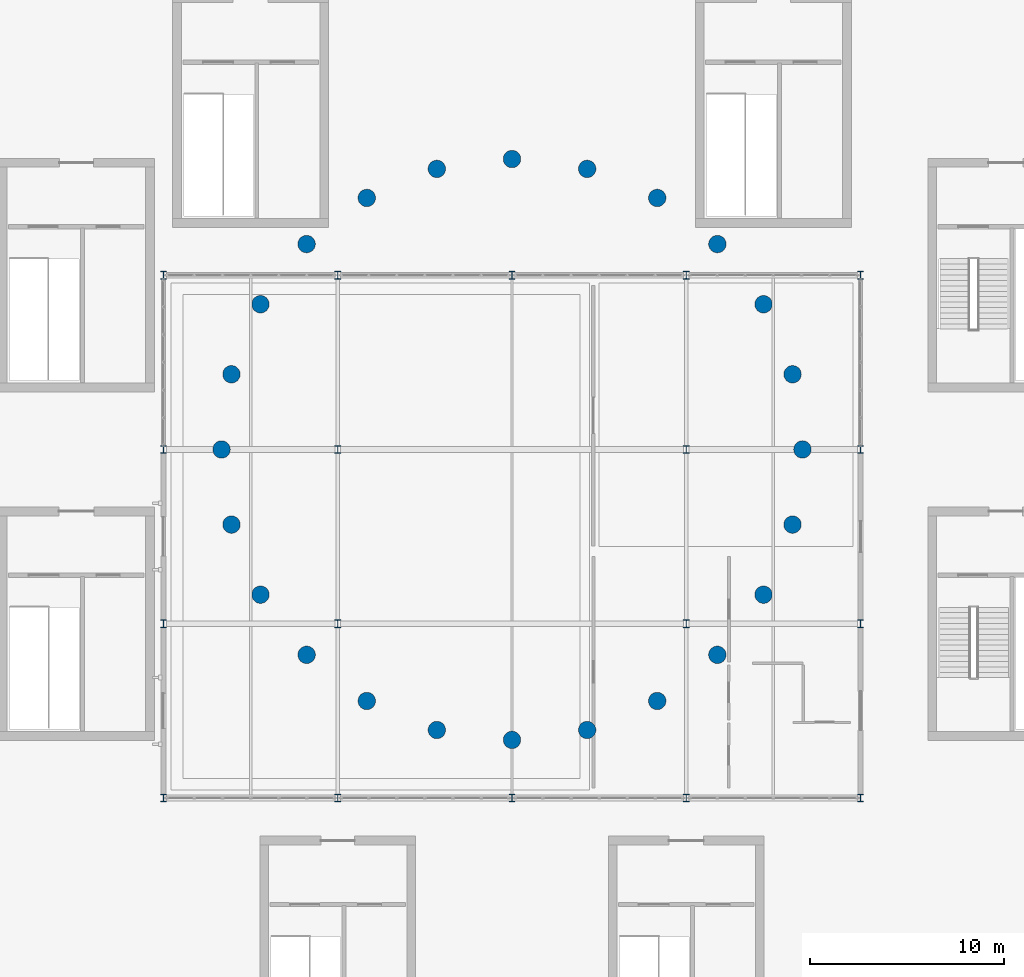
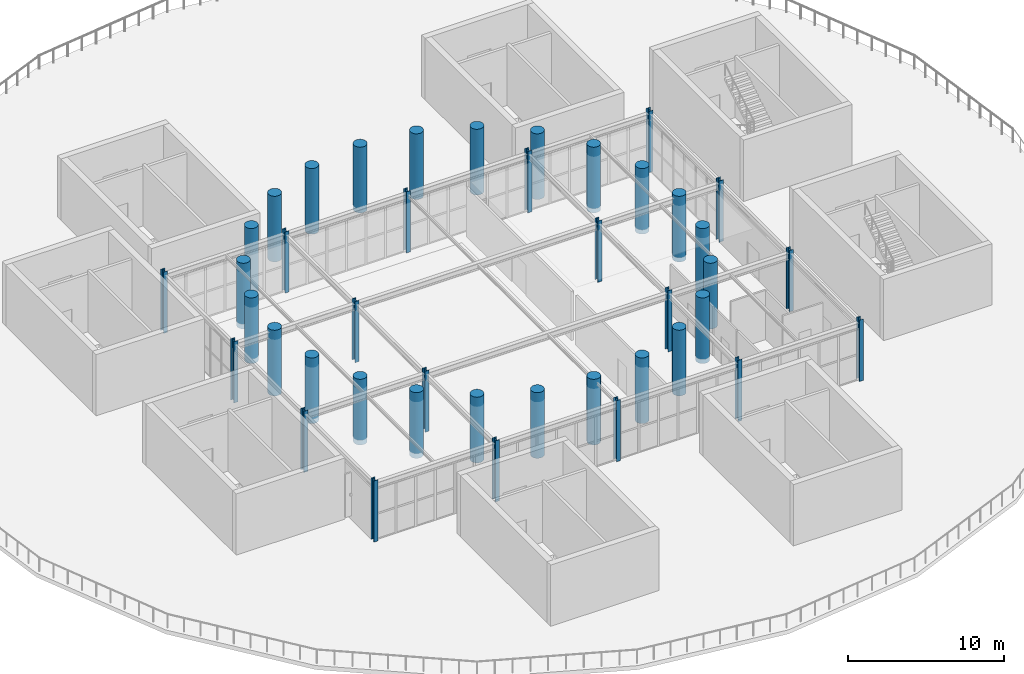
# One storey, part 1 of 29: 42 columns.
"""IFC4 building model written with IfcOpenShell, lengths in metres."""

from ifc_helpers import new_model, si_unit, direction, frame, origin, origin_2d, place, context, subcontext, project, spatial, circle, i_section, extrude, material, material_profile, profile_set, type_object, element, save


model = new_model("IFC4")

# Units and contexts
model_context = context("Model", 3, precision=1e-05, world=origin(), true_north=direction((0.0, 1.0)))
body_context = subcontext(model_context, "Body", "Model", "MODEL_VIEW")
ifc_project = project(units=[si_unit("LENGTHUNIT", "METRE"), si_unit("AREAUNIT", "SQUARE_METRE"), si_unit("VOLUMEUNIT", "CUBIC_METRE"), si_unit("PLANEANGLEUNIT", "RADIAN"), si_unit("MASSUNIT", "GRAM", prefix="KILO")], contexts=[model_context])

# Site, building, storey
site_placement = place(None, origin())
site = spatial("IfcSite", under=ifc_project, at=site_placement, CompositionType="ELEMENT")
building_placement = place(site_placement, origin())
building = spatial("IfcBuilding", under=site, at=building_placement, Name="Dornveld Trade and Exhibition Forum", CompositionType="ELEMENT")
storey_placement = place(building_placement, frame((0.0, 0.0, 21.60009765625)))
storey = spatial("IfcBuildingStorey", under=building, at=storey_placement, Name="L04", CompositionType="ELEMENT", Elevation=21.60009765625)

# Columns
ifc_material_1 = material(Name="Precast concrete C50/60", Category="concrete")
ifc_material_profile_1 = material_profile(ifc_material_1, circle(Radius=0.449951171875, at=origin_2d()), Name="PC-COL D900")
ifc_profile_set_1 = profile_set([ifc_material_profile_1], Name="Precast concrete C50/60")
column_type_1 = type_object("IfcColumnType", Name="COL-DISC-D900", PredefinedType="COLUMN", material=ifc_profile_set_1)
for number, where, z_axis, x_axis, name in (
    (1, (102.0, 81.0, -0.35009765625), (0.0, 0.0, 1.0), (1.0, 0.0, 0.0), "L04 column (102.0, 81.0)"),
    (2, (102.510986328125, 77.117919921875, -0.35009765625), (0.0, 0.0, 1.0), (1.0, 0.0, 0.0), "L04 column (102.5, 77.1)"),
    (3, (102.510986328125, 84.882080078125, -0.35009765625), (0.0, 0.0, 1.0), (1.0, 0.0, 0.0), "L04 column (102.5, 84.9)"),
    (4, (104.010009765625, 73.5, -0.35009765625), (0.0, 0.0, 1.0), (1.0, 0.0, 0.0), "L04 column (104.0, 73.5)"),
    (5, (104.010009765625, 88.5, -0.35009765625), (0.0, 0.0, 1.0), (1.0, 0.0, 0.0), "L04 column (104.0, 88.5)"),
    (6, (106.39306640625, 70.39306640625, -0.35009765625), (0.0, 0.0, 1.0), (1.0, 0.0, 0.0), "L04 column (106.4, 70.4)"),
    (7, (106.39306640625, 91.60693359375, -0.35009765625), (0.0, 0.0, 1.0), (1.0, 0.0, 0.0), "L04 column (106.4, 91.6)"),
    (8, (109.5, 68.010009765625, -0.35009765625), (0.0, 0.0, 1.0), (1.0, 0.0, 0.0), "L04 column (109.5, 68.0)"),
    (9, (109.5, 93.989990234375, -0.35009765625), (0.0, 0.0, 1.0), (1.0, 0.0, 0.0), "L04 column (109.5, 94.0)"),
    (10, (113.117919921875, 66.510986328125, -0.35009765625), (0.0, 0.0, 1.0), (1.0, 0.0, 0.0), "L04 column (113.1, 66.5)"),
    (11, (113.117919921875, 95.489013671875, -0.35009765625), (0.0, 0.0, 1.0), (1.0, 0.0, 0.0), "L04 column (113.1, 95.5)"),
    (12, (117.0, 66.0, -0.35009765625), (0.0, 0.0, 1.0), (1.0, 0.0, 0.0), "L04 column (117.0, 66.0)"),
    (13, (117.0, 96.0, -0.35009765625), (0.0, 0.0, 1.0), (1.0, 0.0, 0.0), "L04 column (117.0, 96.0)"),
    (14, (120.882080078125, 66.510986328125, -0.35009765625), (0.0, 0.0, 1.0), (1.0, 0.0, 0.0), "L04 column (120.9, 66.5)"),
    (15, (120.882080078125, 95.489013671875, -0.35009765625), (0.0, 0.0, 1.0), (1.0, 0.0, 0.0), "L04 column (120.9, 95.5)"),
    (16, (124.5, 68.010009765625, -0.35009765625), (0.0, 0.0, 1.0), (1.0, 0.0, 0.0), "L04 column (124.5, 68.0)"),
    (17, (124.5, 93.989990234375, -0.35009765625), (0.0, 0.0, 1.0), (1.0, 0.0, 0.0), "L04 column (124.5, 94.0)"),
    (18, (127.60693359375, 70.39306640625, -0.35009765625), (0.0, 0.0, 1.0), (1.0, 0.0, 0.0), "L04 column (127.6, 70.4)"),
    (19, (127.60693359375, 91.60693359375, -0.35009765625), (0.0, 0.0, 1.0), (1.0, 0.0, 0.0), "L04 column (127.6, 91.6)"),
    (20, (129.989990234375, 73.5, -0.35009765625), (0.0, 0.0, 1.0), (1.0, 0.0, 0.0), "L04 column (130.0, 73.5)"),
    (21, (129.989990234375, 88.5, -0.35009765625), (0.0, 0.0, 1.0), (1.0, 0.0, 0.0), "L04 column (130.0, 88.5)"),
    (22, (131.489013671875, 77.117919921875, -0.35009765625), (0.0, 0.0, 1.0), (1.0, 0.0, 0.0), "L04 column (131.5, 77.1)"),
    (23, (131.489013671875, 84.882080078125, -0.35009765625), (0.0, 0.0, 1.0), (1.0, 0.0, 0.0), "L04 column (131.5, 84.9)"),
    (24, (132.0, 81.0, -0.35009765625), (0.0, 0.0, 1.0), (1.0, 0.0, 0.0), "L04 column (132.0, 81.0)"),
):
    element("IfcColumn", number, at=place(storey_placement, frame(where, z_axis=z_axis, x_axis=x_axis)), inside=storey, type_object=column_type_1, Name=name, PredefinedType="COLUMN", context=body_context, shape_type="SweptSolid", body=[
        extrude(circle(Radius=0.449951171875, at=origin_2d()), origin(), (0.0, 0.0, 1.0), 5.14990234375),
    ])
ifc_material_2 = material(Name="Steel S355J2", Category="steel")
ifc_material_profile_2 = material_profile(ifc_material_2, i_section(OverallWidth=0.300048828125, OverallDepth=0.39990234375, WebThickness=0.013427734375, FlangeThickness=0.02392578125, FilletRadius=0.027099609375, at=origin_2d()), Name="HEB 400")
ifc_profile_set_2 = profile_set([ifc_material_profile_2], Name="Steel S355J2")
column_type_2 = type_object("IfcColumnType", Name="COL-STL-HEB400", PredefinedType="COLUMN", material=ifc_profile_set_2)
for number, where, z_axis, x_axis, name in (
    (25, (99.0, 63.0, 0.0), (0.0, 0.0, 1.0), (1.0, 0.0, 0.0), "L04 column (99.0, 63.0)"),
    (26, (99.0, 72.0, 0.0), (0.0, 0.0, 1.0), (1.0, 0.0, 0.0), "L04 column (99.0, 72.0)"),
    (27, (99.0, 81.0, 0.0), (0.0, 0.0, 1.0), (1.0, 0.0, 0.0), "L04 column (99.0, 81.0)"),
    (28, (99.0, 90.0, 0.0), (0.0, 0.0, 1.0), (1.0, 0.0, 0.0), "L04 column (99.0, 90.0)"),
    (29, (108.0, 63.0, 0.0), (0.0, 0.0, 1.0), (1.0, 0.0, 0.0), "L04 column (108.0, 63.0)"),
    (30, (108.0, 72.0, 0.0), (0.0, 0.0, 1.0), (1.0, 0.0, 0.0), "L04 column (108.0, 72.0)"),
    (31, (108.0, 81.0, 0.0), (0.0, 0.0, 1.0), (1.0, 0.0, 0.0), "L04 column (108.0, 81.0)"),
    (32, (108.0, 90.0, 0.0), (0.0, 0.0, 1.0), (1.0, 0.0, 0.0), "L04 column (108.0, 90.0)"),
    (33, (117.0, 63.0, 0.0), (0.0, 0.0, 1.0), (1.0, 0.0, 0.0), "L04 column (117.0, 63.0)"),
    (34, (117.0, 90.0, 0.0), (0.0, 0.0, 1.0), (1.0, 0.0, 0.0), "L04 column (117.0, 90.0)"),
    (35, (126.0, 63.0, 0.0), (0.0, 0.0, 1.0), (1.0, 0.0, 0.0), "L04 column (126.0, 63.0)"),
    (36, (126.0, 72.0, 0.0), (0.0, 0.0, 1.0), (1.0, 0.0, 0.0), "L04 column (126.0, 72.0)"),
    (37, (126.0, 81.0, 0.0), (0.0, 0.0, 1.0), (1.0, 0.0, 0.0), "L04 column (126.0, 81.0)"),
    (38, (126.0, 90.0, 0.0), (0.0, 0.0, 1.0), (1.0, 0.0, 0.0), "L04 column (126.0, 90.0)"),
    (39, (135.0, 63.0, 0.0), (0.0, 0.0, 1.0), (1.0, 0.0, 0.0), "L04 column (135.0, 63.0)"),
    (40, (135.0, 72.0, 0.0), (0.0, 0.0, 1.0), (1.0, 0.0, 0.0), "L04 column (135.0, 72.0)"),
    (41, (135.0, 81.0, 0.0), (0.0, 0.0, 1.0), (1.0, 0.0, 0.0), "L04 column (135.0, 81.0)"),
    (42, (135.0, 90.0, 0.0), (0.0, 0.0, 1.0), (1.0, 0.0, 0.0), "L04 column (135.0, 90.0)"),
):
    element("IfcColumn", number, at=place(storey_placement, frame(where, z_axis=z_axis, x_axis=x_axis)), inside=storey, type_object=column_type_2, Name=name, PredefinedType="COLUMN", context=body_context, shape_type="SweptSolid", body=[
        extrude(i_section(OverallWidth=0.300048828125, OverallDepth=0.39990234375, WebThickness=0.013427734375, FlangeThickness=0.02392578125, FilletRadius=0.027099609375, at=origin_2d()), origin(), (0.0, 0.0, 1.0), 4.7998046875),
    ])

save(model, "model.ifc")
